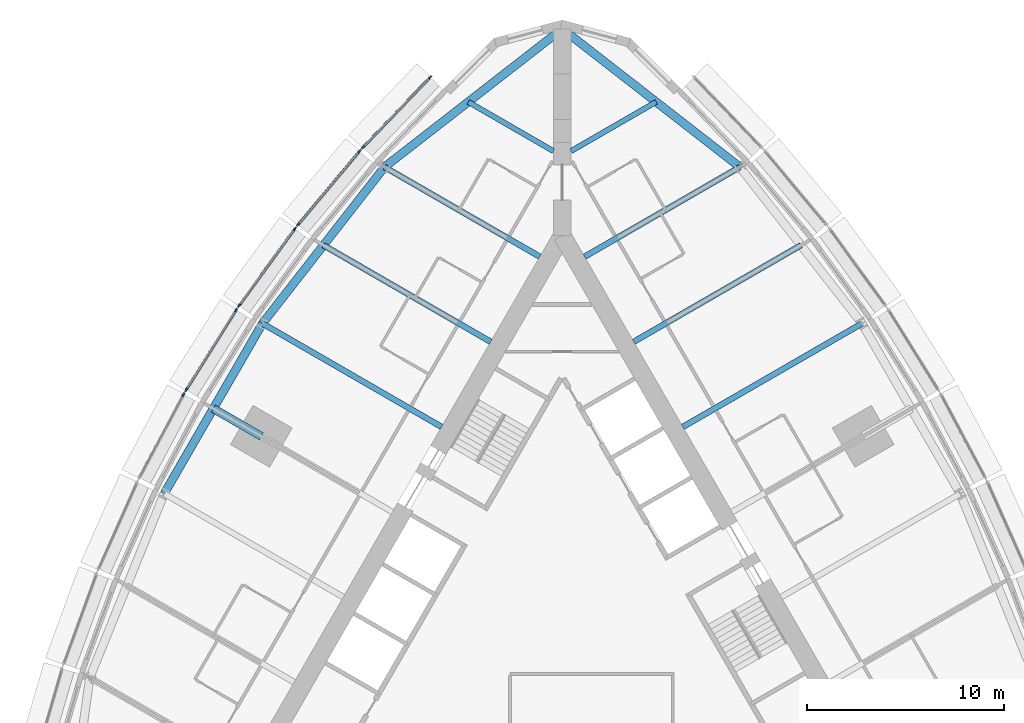
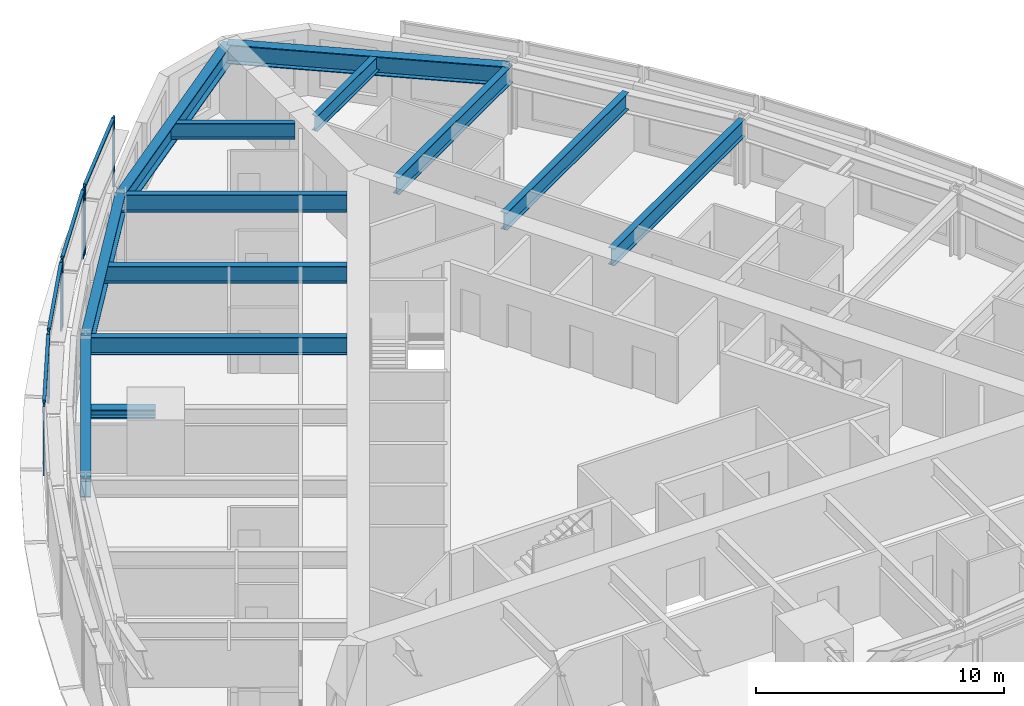
# One storey, part 4 of 14: 13 beams, 13 members, 5 elements without a shape of their own.
"""IFC4 building model written with IfcOpenShell, lengths in metres."""

from ifc_helpers import new_model, si_unit, direction, frame, origin, origin_2d, place, context, subcontext, project, spatial, rectangle, i_section, extrude, material, material_profile, profile_set, type_object, element, aggregate, save


model = new_model("IFC4")

# Units and contexts
model_context = context("Model", 3, precision=1e-05, world=origin(), true_north=direction((0.0, 1.0)))
body_context = subcontext(model_context, "Body", "Model", "MODEL_VIEW")
ifc_project = project(units=[si_unit("LENGTHUNIT", "METRE"), si_unit("AREAUNIT", "SQUARE_METRE"), si_unit("VOLUMEUNIT", "CUBIC_METRE"), si_unit("PLANEANGLEUNIT", "RADIAN"), si_unit("MASSUNIT", "GRAM", prefix="KILO")], contexts=[model_context])

# Site, building, storey
site_placement = place(None, origin())
site = spatial("IfcSite", under=ifc_project, at=site_placement, CompositionType="ELEMENT")
building_placement = place(site_placement, origin())
building = spatial("IfcBuilding", under=site, at=building_placement, Name="Trikona Tower", CompositionType="ELEMENT")
storey_placement = place(building_placement, frame((0.0, 0.0, 162.300048828125)))
storey = spatial("IfcBuildingStorey", under=building, at=storey_placement, Name="L43", CompositionType="ELEMENT", Elevation=162.300048828125)

# Curtain wall, members
ifc_material_1 = material(Name="Aluminium curtain wall system", Category="aluminium")
curtain_wall_type = type_object("IfcCurtainWallType", Name="Curtain wall DS2", PredefinedType="NOTDEFINED", material=ifc_material_1)
curtain_wall_1_placement = place(storey_placement, origin())
curtain_wall_1 = element("IfcCurtainWall", 1, at=curtain_wall_1_placement, inside=storey, type_object=curtain_wall_type, Name="Curtain wall DS2 L43", PredefinedType="NOTDEFINED")
ifc_material_2 = material(Name="Aluminium mullion, pale anodised", Category="aluminium")
ifc_material_profile_1 = material_profile(ifc_material_2, rectangle(XDim=0.080078125, YDim=0.199951171875, at=origin_2d()), Name="MUL-DS2")
ifc_profile_set_1 = profile_set([ifc_material_profile_1], Name="Aluminium mullion, pale anodised")
member_type_1 = type_object("IfcMemberType", Name="Mullion DS2 80x200", PredefinedType="MULLION", material=ifc_profile_set_1)
member_1_placement = place(storey_placement, frame((-6.718994140625, 27.1083984375, 0.0), z_axis=(0.0, 0.0, 1.0), x_axis=(0.722158330767, -0.691727797117, 0.0)))
member_1 = element("IfcMember", 2, at=member_1_placement, type_object=member_type_1, Name="CW-DS2 mullion 1", PredefinedType="MULLION", context=body_context, shape_type="SweptSolid", body=[
    extrude(rectangle(XDim=0.080078125, YDim=0.199951171875, at=origin_2d()), origin(), (0.0, 0.0, 1.0), 3.39990234375),
])
member_2_placement = place(storey_placement, frame((-10.1416015625, 23.535400390625, 0.0), z_axis=(0.0, 0.0, 1.0), x_axis=(0.722158330767, -0.691727797117, 0.0)))
member_2 = element("IfcMember", 3, at=member_2_placement, type_object=member_type_1, Name="CW-DS2 mullion 2", PredefinedType="MULLION", context=body_context, shape_type="SweptSolid", body=[
    extrude(rectangle(XDim=0.080078125, YDim=0.199951171875, at=origin_2d()), origin(), (0.0, 0.0, 1.0), 3.39990234375),
])

curtain_wall_2_placement = place(storey_placement, origin())
curtain_wall_2 = element("IfcCurtainWall", 4, at=curtain_wall_2_placement, inside=storey, type_object=curtain_wall_type, Name="Curtain wall DS2 L43", PredefinedType="NOTDEFINED")
member_3_placement = place(storey_placement, frame((-10.315185546875, 23.34130859375, 0.0), z_axis=(0.0, 0.0, 1.0), x_axis=(0.766866678271, -0.641806433248, 0.0)))
member_3 = element("IfcMember", 5, at=member_3_placement, type_object=member_type_1, Name="CW-DS2 mullion 1", PredefinedType="MULLION", context=body_context, shape_type="SweptSolid", body=[
    extrude(rectangle(XDim=0.080078125, YDim=0.199951171875, at=origin_2d()), origin(), (0.0, 0.0, 1.0), 3.39990234375),
])
member_4_placement = place(storey_placement, frame((-13.44482421875, 19.602294921875, 0.0), z_axis=(0.0, 0.0, 1.0), x_axis=(0.766866678271, -0.641806433248, 0.0)))
member_4 = element("IfcMember", 6, at=member_4_placement, type_object=member_type_1, Name="CW-DS2 mullion 2", PredefinedType="MULLION", context=body_context, shape_type="SweptSolid", body=[
    extrude(rectangle(XDim=0.080078125, YDim=0.199951171875, at=origin_2d()), origin(), (0.0, 0.0, 1.0), 3.39990234375),
])

curtain_wall_3_placement = place(storey_placement, origin())
curtain_wall_3 = element("IfcCurtainWall", 7, at=curtain_wall_3_placement, inside=storey, type_object=curtain_wall_type, Name="Curtain wall DS2 L43", PredefinedType="NOTDEFINED")
member_5_placement = place(storey_placement, frame((-13.605712890625, 19.39599609375, 0.0), z_axis=(0.0, 0.0, 1.0), x_axis=(0.80908576332, -0.587690588313, 0.0)))
member_5 = element("IfcMember", 8, at=member_5_placement, type_object=member_type_1, Name="CW-DS2 mullion 1", PredefinedType="MULLION", context=body_context, shape_type="SweptSolid", body=[
    extrude(rectangle(XDim=0.080078125, YDim=0.199951171875, at=origin_2d()), origin(), (0.0, 0.0, 1.0), 3.39990234375),
])
member_6_placement = place(storey_placement, frame((-16.442626953125, 15.489990234375, 0.0), z_axis=(0.0, 0.0, 1.0), x_axis=(0.80908576332, -0.587690588313, 0.0)))
member_6 = element("IfcMember", 9, at=member_6_placement, type_object=member_type_1, Name="CW-DS2 mullion 2", PredefinedType="MULLION", context=body_context, shape_type="SweptSolid", body=[
    extrude(rectangle(XDim=0.080078125, YDim=0.199951171875, at=origin_2d()), origin(), (0.0, 0.0, 1.0), 3.39990234375),
])

curtain_wall_4_placement = place(storey_placement, origin())
curtain_wall_4 = element("IfcCurtainWall", 10, at=curtain_wall_4_placement, inside=storey, type_object=curtain_wall_type, Name="Curtain wall DS2 L43", PredefinedType="NOTDEFINED")
member_7_placement = place(storey_placement, frame((-16.589599609375, 15.2724609375, 0.0), z_axis=(0.0, 0.0, 1.0), x_axis=(0.847998304006, -0.529998940002, 0.0)))
member_7 = element("IfcMember", 11, at=member_7_placement, type_object=member_type_1, Name="CW-DS2 mullion 1", PredefinedType="MULLION", context=body_context, shape_type="SweptSolid", body=[
    extrude(rectangle(XDim=0.080078125, YDim=0.199951171875, at=origin_2d()), origin(), (0.0, 0.0, 1.0), 3.39990234375),
])
member_8_placement = place(storey_placement, frame((-19.135009765625, 11.199462890625, 0.0), z_axis=(0.0, 0.0, 1.0), x_axis=(0.847998304006, -0.529998940002, 0.0)))
member_8 = element("IfcMember", 12, at=member_8_placement, type_object=member_type_1, Name="CW-DS2 mullion 2", PredefinedType="MULLION", context=body_context, shape_type="SweptSolid", body=[
    extrude(rectangle(XDim=0.080078125, YDim=0.199951171875, at=origin_2d()), origin(), (0.0, 0.0, 1.0), 3.39990234375),
])

# Curtain wall, member
curtain_wall_5_placement = place(storey_placement, origin())
curtain_wall_5 = element("IfcCurtainWall", 13, at=curtain_wall_5_placement, inside=storey, type_object=curtain_wall_type, Name="Curtain wall DS2 L43", PredefinedType="NOTDEFINED")
member_9_placement = place(storey_placement, frame((-19.2666015625, 10.9716796875, 0.0), z_axis=(0.0, 0.0, 1.0), x_axis=(0.882996107343, -0.469380308937, 0.0)))
member_9 = element("IfcMember", 14, at=member_9_placement, type_object=member_type_1, Name="CW-DS2 mullion 1", PredefinedType="MULLION", context=body_context, shape_type="SweptSolid", body=[
    extrude(rectangle(XDim=0.080078125, YDim=0.199951171875, at=origin_2d()), origin(), (0.0, 0.0, 1.0), 3.39990234375),
])
aggregate(curtain_wall_5, [member_9])

# Beams
ifc_material_3 = material(Name="Steel ASTM A992 Grade 50", Category="steel")
ifc_material_profile_2 = material_profile(ifc_material_3, i_section(OverallWidth=0.419189453125, OverallDepth=0.45458984375, WebThickness=0.042236328125, FlangeThickness=0.067626953125, at=origin_2d()), Name="W14X370")
ifc_profile_set_2 = profile_set([ifc_material_profile_2], Name="Steel ASTM A992 Grade 50")
beam_type_1 = type_object("IfcBeamType", Name="Steel beam W14x370 (apex bracket)", PredefinedType="BEAM", material=ifc_profile_set_2)
beam_1_placement = place(storey_placement, frame((-15.311767578125, 8.84033203125, 3.007568359375), z_axis=(-0.86605005072, 0.499957307824, 0.0), x_axis=(-0.499957307824, -0.86605005072, 0.0)))
element("IfcBeam", 15, at=beam_1_placement, inside=storey, type_object=beam_type_1, Name="Cantilever bracket L44 F3", PredefinedType="BEAM", context=body_context, shape_type="SweptSolid", body=[
    extrude(i_section(OverallWidth=0.419189453125, OverallDepth=0.45458984375, WebThickness=0.042236328125, FlangeThickness=0.067626953125, at=origin_2d()), origin(), (0.0, 0.0, 1.0), 2.819580078125),
])
ifc_material_4 = material(Name="Steel ASTM A992 Grade 50", Category="steel")
ifc_material_profile_3 = material_profile(ifc_material_4, i_section(OverallWidth=0.2666015625, OverallDepth=0.76953125, WebThickness=0.015625, FlangeThickness=0.025390625, at=origin_2d()), Name="W30X132")
ifc_profile_set_3 = profile_set([ifc_material_profile_3], Name="Steel ASTM A992 Grade 50")
beam_type_2 = type_object("IfcBeamType", Name="Steel beam W30x132 (wedge)", PredefinedType="BEAM", material=ifc_profile_set_3)
for number, where, z_axis, x_axis, name in (
    (16, (0.449951171875, 23.353759765625, 2.85009765625), (0.866038434829, 0.49997742889, 0.0), (-0.49997742889, 0.866038434829, 0.0), "Floor beam L44 F2 u20"),
    (17, (-0.449951171875, 23.353759765625, 2.85009765625), (-0.866038434829, 0.49997742889, 0.0), (-0.49997742889, -0.866038434829, 0.0), "Floor beam L44 F3 u-20"),
):
    element("IfcBeam", number, at=place(storey_placement, frame(where, z_axis=z_axis, x_axis=x_axis)), inside=storey, type_object=beam_type_2, Name=name, PredefinedType="BEAM", context=body_context, shape_type="SweptSolid", body=[
        extrude(i_section(OverallWidth=0.2666015625, OverallDepth=0.76953125, WebThickness=0.015625, FlangeThickness=0.025390625, at=origin_2d()), origin(), (0.0, 0.0, 1.0), 5.000732421875),
    ])
ifc_material_5 = material(Name="Steel ASTM A992 Grade 50", Category="steel")
ifc_material_profile_4 = material_profile(ifc_material_5, i_section(OverallWidth=0.2919921875, OverallDepth=0.845703125, WebThickness=0.015380859375, FlangeThickness=0.0244140625, at=origin_2d()), Name="W33X141")
ifc_profile_set_4 = profile_set([ifc_material_profile_4], Name="Steel ASTM A992 Grade 50")
beam_type_3 = type_object("IfcBeamType", Name="Steel beam W33x141 (radial typ)", PredefinedType="BEAM", material=ifc_profile_set_4)
beam_2_placement = place(storey_placement, frame((6.1396484375, 9.318359375, 2.81201171875), z_axis=(0.866036080828, 0.499981506362, 0.0), x_axis=(-0.499981506362, 0.866036080828, 0.0)))
element("IfcBeam", 18, at=beam_2_placement, inside=storey, type_object=beam_type_3, Name="Floor beam L44 F2 u5", PredefinedType="BEAM", context=body_context, shape_type="SweptSolid", body=[
    extrude(i_section(OverallWidth=0.2919921875, OverallDepth=0.845703125, WebThickness=0.015380859375, FlangeThickness=0.0244140625, at=origin_2d()), origin(), (0.0, 0.0, 1.0), 10.52392578125),
])
beam_3_placement = place(storey_placement, frame((3.6396484375, 13.6484375, 2.81201171875), z_axis=(0.866030807744, 0.499990639951, 0.0), x_axis=(-0.499990639951, 0.866030807744, 0.0)))
element("IfcBeam", 19, at=beam_3_placement, inside=storey, type_object=beam_type_3, Name="Floor beam L44 F2 u10", PredefinedType="BEAM", context=body_context, shape_type="SweptSolid", body=[
    extrude(i_section(OverallWidth=0.2919921875, OverallDepth=0.845703125, WebThickness=0.015380859375, FlangeThickness=0.0244140625, at=origin_2d()), origin(), (0.0, 0.0, 1.0), 9.823974609375),
])
for number, where, z_axis, x_axis, name in (
    (20, (1.1396484375, 17.978515625, 2.81201171875), (0.866024725532, 0.500001174766, 0.0), (-0.500001174766, 0.866024725532, 0.0), "Floor beam L44 F2 u15"),
    (21, (-1.1396484375, 17.978515625, 2.81201171875), (-0.866024725532, 0.500001174766, 0.0), (-0.500001174766, -0.866024725532, 0.0), "Floor beam L44 F3 u-15"),
):
    element("IfcBeam", number, at=place(storey_placement, frame(where, z_axis=z_axis, x_axis=x_axis)), inside=storey, type_object=beam_type_3, Name=name, PredefinedType="BEAM", context=body_context, shape_type="SweptSolid", body=[
        extrude(i_section(OverallWidth=0.2919921875, OverallDepth=0.845703125, WebThickness=0.015380859375, FlangeThickness=0.0244140625, at=origin_2d()), origin(), (0.0, 0.0, 1.0), 9.1240234375),
    ])
beam_4_placement = place(storey_placement, frame((-3.6396484375, 13.6484375, 2.81201171875), z_axis=(-0.866030807744, 0.499990639951, 0.0), x_axis=(-0.499990639951, -0.866030807744, 0.0)))
element("IfcBeam", 22, at=beam_4_placement, inside=storey, type_object=beam_type_3, Name="Floor beam L44 F3 u-10", PredefinedType="BEAM", context=body_context, shape_type="SweptSolid", body=[
    extrude(i_section(OverallWidth=0.2919921875, OverallDepth=0.845703125, WebThickness=0.015380859375, FlangeThickness=0.0244140625, at=origin_2d()), origin(), (0.0, 0.0, 1.0), 9.823974609375),
])
beam_5_placement = place(storey_placement, frame((-6.1396484375, 9.318359375, 2.81201171875), z_axis=(-0.866036080828, 0.499981506362, 0.0), x_axis=(-0.499981506362, -0.866036080828, 0.0)))
element("IfcBeam", 23, at=beam_5_placement, inside=storey, type_object=beam_type_3, Name="Floor beam L44 F3 u-5", PredefinedType="BEAM", context=body_context, shape_type="SweptSolid", body=[
    extrude(i_section(OverallWidth=0.2919921875, OverallDepth=0.845703125, WebThickness=0.015380859375, FlangeThickness=0.0244140625, at=origin_2d()), origin(), (0.0, 0.0, 1.0), 10.52392578125),
])
ifc_material_6 = material(Name="Steel ASTM A992 Grade 50", Category="steel")
ifc_material_profile_5 = material_profile(ifc_material_6, i_section(OverallWidth=0.424072265625, OverallDepth=0.947509765625, WebThickness=0.02392578125, FlangeThickness=0.042724609375, at=origin_2d()), Name="W36X302")
ifc_profile_set_5 = profile_set([ifc_material_profile_5], Name="Steel ASTM A992 Grade 50")
beam_type_4 = type_object("IfcBeamType", Name="Steel beam W36x302 (spandrel)", PredefinedType="SPANDREL", material=ifc_profile_set_5)
for number, where, z_axis, x_axis, name in (
    (24, (9.041259765625, 22.54052734375, 2.76123046875), (-0.789367137808, 0.613921429621, 0.0), (-0.613921429621, -0.789367137808, 0.0), "Spandrel beam L44 F2-5"),
    (25, (0.0, 29.572265625, 2.76123046875), (-0.789367137808, -0.613921429621, 0.0), (0.613921429621, -0.789367137808, 0.0), "Spandrel beam L44 F3-1"),
):
    element("IfcBeam", number, at=place(storey_placement, frame(where, z_axis=z_axis, x_axis=x_axis)), inside=storey, type_object=beam_type_4, Name=name, PredefinedType="SPANDREL", context=body_context, shape_type="SweptSolid", body=[
        extrude(i_section(OverallWidth=0.424072265625, OverallDepth=0.947509765625, WebThickness=0.02392578125, FlangeThickness=0.042724609375, at=origin_2d()), origin(), (0.0, 0.0, 1.0), 11.453857421875),
    ])
beam_6_placement = place(storey_placement, frame((-9.041259765625, 22.54052734375, 2.76123046875), z_axis=(-0.615232009054, -0.788346101046, 0.0), x_axis=(0.788346101046, -0.615232009054, 0.0)))
element("IfcBeam", 26, at=beam_6_placement, inside=storey, type_object=beam_type_4, Name="Spandrel beam L44 F3-2", PredefinedType="SPANDREL", context=body_context, shape_type="SweptSolid", body=[
    extrude(i_section(OverallWidth=0.424072265625, OverallDepth=0.947509765625, WebThickness=0.02392578125, FlangeThickness=0.042724609375, at=origin_2d()), origin(), (0.0, 0.0, 1.0), 10.09765625),
])
beam_7_placement = place(storey_placement, frame((-15.253662109375, 14.580078125, 2.76123046875), z_axis=(-0.500004234368, -0.866022959057, 0.0), x_axis=(0.866022959057, -0.500004234368, 0.0)))
element("IfcBeam", 27, at=beam_7_placement, inside=storey, type_object=beam_type_4, Name="Spandrel beam L44 F3-3", PredefinedType="SPANDREL", context=body_context, shape_type="SweptSolid", body=[
    extrude(i_section(OverallWidth=0.424072265625, OverallDepth=0.947509765625, WebThickness=0.02392578125, FlangeThickness=0.042724609375, at=origin_2d()), origin(), (0.0, 0.0, 1.0), 10.0),
])

# Member
ifc_material_7 = material(Name="Aluminium transom, pale anodised", Category="aluminium")
ifc_material_profile_6 = material_profile(ifc_material_7, rectangle(XDim=0.139892578125, YDim=0.080078125, at=origin_2d()), Name="TRN-DS2")
ifc_profile_set_6 = profile_set([ifc_material_profile_6], Name="Aluminium transom, pale anodised")
member_type_2 = type_object("IfcMemberType", Name="Transom DS2 80x140", PredefinedType="USERDEFINED", material=ifc_profile_set_6)
member_10_placement = place(storey_placement, frame((-6.746826171875, 27.07958984375, 3.35986328125), z_axis=(-0.691721246785, -0.722164605022, 0.0), x_axis=(0.722164605022, -0.691721246785, 0.0)))
member_10 = element("IfcMember", 28, at=member_10_placement, type_object=member_type_2, Name="CW-DS2 transom 1.1", ObjectType="TRANSOM", PredefinedType="USERDEFINED", context=body_context, shape_type="SweptSolid", body=[
    extrude(rectangle(XDim=0.139892578125, YDim=0.080078125, at=origin_2d()), origin(), (0.0, 0.0, 1.0), 4.867919921875),
])

aggregate(curtain_wall_1, [member_1, member_2, member_10])

member_11_placement = place(storey_placement, frame((-10.341064453125, 23.310791015625, 3.35986328125), z_axis=(-0.641770294892, -0.766896921753, 0.0), x_axis=(0.766896921753, -0.641770294892, 0.0)))
member_11 = element("IfcMember", 29, at=member_11_placement, type_object=member_type_2, Name="CW-DS2 transom 1.1", ObjectType="TRANSOM", PredefinedType="USERDEFINED", context=body_context, shape_type="SweptSolid", body=[
    extrude(rectangle(XDim=0.139892578125, YDim=0.080078125, at=origin_2d()), origin(), (0.0, 0.0, 1.0), 4.7958984375),
])

aggregate(curtain_wall_2, [member_3, member_4, member_11])

member_12_placement = place(storey_placement, frame((-13.629150390625, 19.363525390625, 3.35986328125), z_axis=(-0.587694585883, -0.809082859616, 0.0), x_axis=(0.809082859616, -0.587694585883, 0.0)))
member_12 = element("IfcMember", 30, at=member_12_placement, type_object=member_type_2, Name="CW-DS2 transom 1.1", ObjectType="TRANSOM", PredefinedType="USERDEFINED", context=body_context, shape_type="SweptSolid", body=[
    extrude(rectangle(XDim=0.139892578125, YDim=0.080078125, at=origin_2d()), origin(), (0.0, 0.0, 1.0), 4.747314453125),
])

aggregate(curtain_wall_3, [member_5, member_6, member_12])

member_13_placement = place(storey_placement, frame((-16.610595703125, 15.238525390625, 3.35986328125), z_axis=(-0.530031463794, -0.847977975769, 0.0), x_axis=(0.847977975769, -0.530031463794, 0.0)))
member_13 = element("IfcMember", 31, at=member_13_placement, type_object=member_type_2, Name="CW-DS2 transom 1.1", ObjectType="TRANSOM", PredefinedType="USERDEFINED", context=body_context, shape_type="SweptSolid", body=[
    extrude(rectangle(XDim=0.139892578125, YDim=0.080078125, at=origin_2d()), origin(), (0.0, 0.0, 1.0), 4.72314453125),
])

aggregate(curtain_wall_4, [member_7, member_8, member_13])

save(model, "model.ifc")
